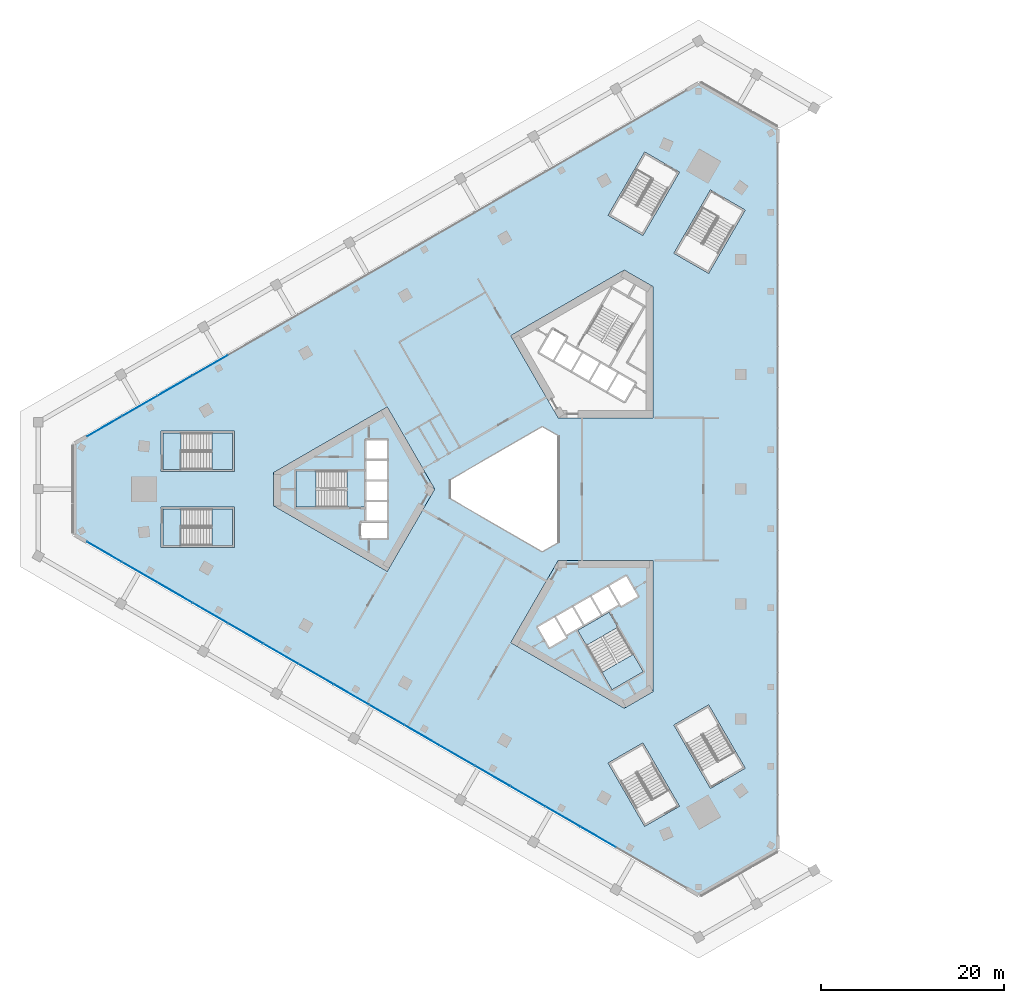
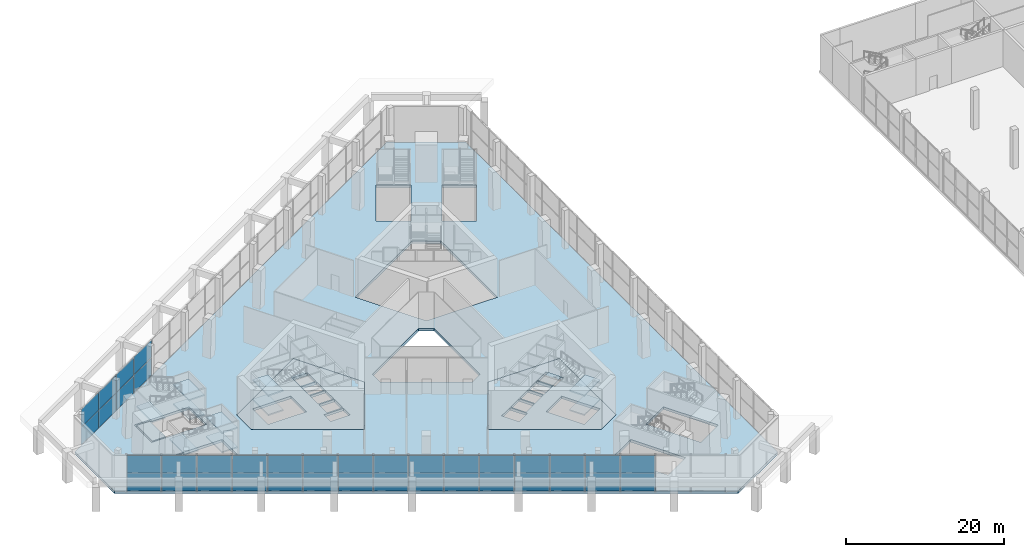
# One storey, part 22 of 51: 38 plates, 17 slabs, 6 elements without a shape of their own.
"""IFC4 building model written with IfcOpenShell, lengths in metres."""

import ifcopenshell
import ifcopenshell.guid

model = None  # the IFC model being written
_history = None  # IfcOwnerHistory: only IFC2X3 demands one
_inside = {}  # id of a spatial element -> (the spatial element, [elements in it])
_under = {}  # id of a project, library or spatial element -> (it, [spatial elements below it])
_declared = {}  # id of a project -> (the project, [libraries it declares])
_typed = {}  # id of a type object -> (the type object, [elements of that type])
_made_of = {}  # id of a material, layer set ... -> (it, [elements and type objects made of it])


def new_model(schema):
    """Start an empty IFC model of exactly this schema.

    Asked for "IFC4X3", IfcOpenShell would pick the latest addendum, in which some entities
    have other attributes; the version numbers below select the first issue.
    IFC2X3 requires an IfcOwnerHistory on every rooted entity: one is made here for all.
    """
    global model, _history
    if schema == "IFC4X3":
        model = ifcopenshell.file(schema_version=(4, 3, 0, 0))
    else:
        model = ifcopenshell.file(schema=schema)
    _inside.clear()
    _under.clear()
    _declared.clear()
    _typed.clear()
    _made_of.clear()
    _history = None
    if model.schema == "IFC2X3":
        org = make("IfcOrganization", Name="unknown")
        user = make(
            "IfcPersonAndOrganization",
            ThePerson=make("IfcPerson", FamilyName="unknown"),
            TheOrganization=org,
        )
        app = make(
            "IfcApplication",
            ApplicationDeveloper=org,
            Version="unknown",
            ApplicationFullName="unknown",
            ApplicationIdentifier="unknown",
        )
        _history = make(
            "IfcOwnerHistory",
            OwningUser=user,
            OwningApplication=app,
            ChangeAction="ADDED",
            CreationDate=0,
        )
    return model


def make(cls, **values):
    """One entity of the class cls with the attributes given. An attribute that is None is left unset."""
    return model.create_entity(
        cls, **{name: value for name, value in values.items() if value is not None}
    )


def rooted(cls, **values):
    """An entity with a GlobalId (a new one), such as an element, a storey or a relation."""
    return make(cls, GlobalId=ifcopenshell.guid.new(), OwnerHistory=_history, **values)


def si_unit(unit_type, name, prefix=None):
    """IfcSIUnit, for example si_unit("LENGTHUNIT", "METRE", prefix="MILLI")."""
    return make("IfcSIUnit", UnitType=unit_type, Prefix=prefix, Name=name)


def assignment(units):
    """IfcUnitAssignment: the units of a project."""
    return None if units is None else make("IfcUnitAssignment", Units=units)


def point(xyz):
    """IfcCartesianPoint."""
    return None if xyz is None else make("IfcCartesianPoint", Coordinates=xyz)


def direction(xyz):
    """IfcDirection."""
    return None if xyz is None else make("IfcDirection", DirectionRatios=xyz)


def frame(location, z_axis=None, x_axis=None):
    """IfcAxis2Placement3D, a coordinate frame: its origin and axes. An axis left out is left unset."""
    return make(
        "IfcAxis2Placement3D",
        Location=point(location),
        Axis=direction(z_axis),
        RefDirection=direction(x_axis),
    )


def frame_2d(location, x_axis=None):
    """IfcAxis2Placement2D, a coordinate frame in the plane: its origin and x axis."""
    return make(
        "IfcAxis2Placement2D", Location=point(location), RefDirection=direction(x_axis)
    )


def origin():
    """The frame at (0, 0, 0) with its axes left unset."""
    return frame((0.0, 0.0, 0.0))


def origin_2d():
    """The frame at (0, 0) in the plane with its x axis left unset."""
    return frame_2d((0.0, 0.0))


def place(relative_to, where):
    """IfcLocalPlacement: puts the frame where relative to a parent placement (None: the world)."""
    return make(
        "IfcLocalPlacement", PlacementRelTo=relative_to, RelativePlacement=where
    )


def context(
    kind, dimensions, precision=None, world=None, true_north=None, identifier=None
):
    """IfcGeometricRepresentationContext, for example the 3D "Model" context."""
    return make(
        "IfcGeometricRepresentationContext",
        ContextIdentifier=identifier,
        ContextType=kind,
        CoordinateSpaceDimension=dimensions,
        Precision=precision,
        WorldCoordinateSystem=world,
        TrueNorth=true_north,
    )


def subcontext(parent, identifier, kind, view, scale=None):
    """IfcGeometricRepresentationSubContext, for example "Body" below "Model"."""
    return make(
        "IfcGeometricRepresentationSubContext",
        ContextIdentifier=identifier,
        ContextType=kind,
        ParentContext=parent,
        TargetScale=scale,
        TargetView=view,
    )


def project(units=None, contexts=None):
    """IfcProject with its units and contexts."""
    return rooted(
        "IfcProject",
        Name="project",
        RepresentationContexts=contexts,
        UnitsInContext=assignment(units),
    )


def spatial(cls, under=None, at=None, **own):
    """A site, building, storey or space (cls), placed at a placement, below another one or the project."""
    s = rooted(cls, ObjectPlacement=at, **own)
    if under is not None:
        _under.setdefault(under.id(), (under, []))[1].append(s)
    return s


def polyline(points):
    """IfcPolyline through the points."""
    return make("IfcPolyline", Points=[point(p) for p in points])


def profile(cls, at=None, kind="AREA", **sizes):
    """A parametric profile (cls). Its sizes go by their IFC names, for example OverallWidth=200.0."""
    return make(cls, ProfileType=kind, Position=at, **sizes)


def rectangle(**sizes):
    """IfcRectangleProfileDef."""
    return profile("IfcRectangleProfileDef", **sizes)


def outline(outer, holes=None, kind="AREA"):
    """IfcArbitraryClosedProfileDef: a profile drawn as a closed curve; with holes, ...WithVoids."""
    if holes is None:
        return make("IfcArbitraryClosedProfileDef", ProfileType=kind, OuterCurve=outer)
    return make(
        "IfcArbitraryProfileDefWithVoids",
        ProfileType=kind,
        OuterCurve=outer,
        InnerCurves=holes,
    )


def extrude(swept, where, along, depth):
    """IfcExtrudedAreaSolid: the profile swept, set in the frame where, extruded along a direction by depth."""
    return make(
        "IfcExtrudedAreaSolid",
        SweptArea=swept,
        Position=where,
        ExtrudedDirection=direction(along),
        Depth=depth,
    )


def shape(context_of_items, identifier, shape_type, items):
    """IfcShapeRepresentation: the items that make up one representation, for example the "Body"."""
    return make(
        "IfcShapeRepresentation",
        ContextOfItems=context_of_items,
        RepresentationIdentifier=identifier,
        RepresentationType=shape_type,
        Items=items,
    )


def material(Name=None, Category=None):
    """IfcMaterial."""
    return make("IfcMaterial", Name=Name, Category=Category)


def layer(
    of_material, thickness, ventilated=None, Name=None, Category=None, Priority=None
):
    """IfcMaterialLayer: one layer of a wall or slab, of a material (None: an air gap)."""
    return make(
        "IfcMaterialLayer",
        Material=of_material,
        LayerThickness=thickness,
        IsVentilated=ventilated,
        Name=Name,
        Category=Category,
        Priority=Priority,
    )


def layer_set(layers, Name=None):
    """IfcMaterialLayerSet."""
    return make("IfcMaterialLayerSet", MaterialLayers=layers, LayerSetName=Name)


def made_of(thing, what):
    """Note that an element or type object is made of a material, layer set ...; save() writes the relation."""
    if what is not None:
        _made_of.setdefault(what.id(), (what, []))[1].append(thing)
    return thing


def type_object(cls, material=None, **own):
    """A type object (cls), such as IfcWallType, which elements share."""
    return made_of(rooted(cls, **own), material)


def element(
    cls,
    number,
    at=None,
    inside=None,
    cuts=None,
    type_object=None,
    material=None,
    context=None,
    identifier="Body",
    shape_type=None,
    held_by="IfcProductDefinitionShape",
    body=None,
    shapes=None,
    **own,
):
    """One element of the class cls, such as IfcWall. Its Tag is "e" and its number.

    at: its placement. inside: the storey or other place that contains it. cuts: it is an
    opening in that element (IfcRelVoidsElement). A single representation is given by context,
    identifier, shape_type and body (its items); several are given by shapes. held_by: the class
    of the entity that holds the representations. save() writes the other relations.
    """
    e = rooted(cls, Tag="e%d" % number, ObjectPlacement=at, **own)
    if body is not None:
        shapes = [shape(context, identifier, shape_type, body)]
    if shapes is not None:
        e.Representation = make(held_by, Representations=shapes)
    if inside is not None:
        _inside.setdefault(inside.id(), (inside, []))[1].append(e)
    if cuts is not None:
        rooted(
            "IfcRelVoidsElement", RelatingBuildingElement=cuts, RelatedOpeningElement=e
        )
    if type_object is not None:
        _typed.setdefault(type_object.id(), (type_object, []))[1].append(e)
    return made_of(e, material)


def aggregate(whole, parts):
    """IfcRelAggregates: a whole, such as a stair, and the parts it consists of."""
    return rooted("IfcRelAggregates", RelatingObject=whole, RelatedObjects=parts)


def save(model, path):
    """Write the relations noted so far, then the file.

    IfcRelAggregates (storeys below a building ...), IfcRelContainedInSpatialStructure (elements
    in a storey), IfcRelDefinesByType, IfcRelAssociatesMaterial and IfcRelDeclares: one each for
    every whole, place, type object, material and project.
    """
    for whole, parts in _under.values():
        aggregate(whole, parts)
    for where, things in _inside.values():
        rooted(
            "IfcRelContainedInSpatialStructure",
            RelatedElements=things,
            RelatingStructure=where,
        )
    for kind, things in _typed.values():
        rooted("IfcRelDefinesByType", RelatedObjects=things, RelatingType=kind)
    for what, things in _made_of.values():
        rooted("IfcRelAssociatesMaterial", RelatedObjects=things, RelatingMaterial=what)
    for by, libraries in _declared.values():
        rooted("IfcRelDeclares", RelatingContext=by, RelatedDefinitions=libraries)
    model.write(path)


model = new_model("IFC4")

# Units and contexts
model_context = context("Model", 3, precision=1e-05, world=origin(), true_north=direction((0.0, 1.0)))
body_context = subcontext(model_context, "Body", "Model", "MODEL_VIEW")
ifc_project = project(units=[si_unit("LENGTHUNIT", "METRE"), si_unit("AREAUNIT", "SQUARE_METRE"), si_unit("VOLUMEUNIT", "CUBIC_METRE"), si_unit("PLANEANGLEUNIT", "RADIAN"), si_unit("MASSUNIT", "GRAM", prefix="KILO")], contexts=[model_context])

# Site, building, storey
site_placement = place(None, origin())
site = spatial("IfcSite", under=ifc_project, at=site_placement, CompositionType="ELEMENT")
building_placement = place(site_placement, origin())
building = spatial("IfcBuilding", under=site, at=building_placement, Name="Jabali Bay Hotel Tower and Convention Centre", CompositionType="ELEMENT")
storey_placement = place(building_placement, frame((0.0, 0.0, 9.0)))
storey = spatial("IfcBuildingStorey", under=building, at=storey_placement, Name="L01", CompositionType="ELEMENT", Elevation=9.0)

# Curtain wall, plates
ifc_material_1 = material(Name="Aluminium and glass", Category="aluminium")
ifc_layer_1 = layer(ifc_material_1, 0.179931640625)
ifc_layer_set_1 = layer_set([ifc_layer_1], Name="Aluminium and glass")
curtain_wall_type = type_object("IfcCurtainWallType", Name="CW1 curtain wall", PredefinedType="NOTDEFINED", material=ifc_layer_set_1)
curtain_wall_1_placement = place(storey_placement, origin())
curtain_wall_1 = element("IfcCurtainWall", 1, at=curtain_wall_1_placement, inside=storey, type_object=curtain_wall_type, Name="CW1 curtain wall north-west face L01", PredefinedType="NOTDEFINED")
ifc_material_2 = material(Name="Glass", Category="glass")
ifc_layer_2 = layer(ifc_material_2, 0.028076171875)
ifc_layer_set_2 = layer_set([ifc_layer_2], Name="Glass")
plate_type = type_object("IfcPlateType", Name="CW1 glass panel 28", PredefinedType="CURTAIN_PANEL", material=ifc_layer_set_2)
plate_1_placement = place(storey_placement, frame((29.901123046875, 86.87109375, 0.06005859375), z_axis=(0.0, 0.0, 1.0), x_axis=(0.866025404107, 0.499999999441, 0.0)))
plate_1 = element("IfcPlate", 2, at=plate_1_placement, type_object=plate_type, Name="CW1 panel 1.1", PredefinedType="CURTAIN_PANEL", context=body_context, shape_type="SweptSolid", body=[
    extrude(rectangle(XDim=4.364501953125, YDim=0.028076171875, at=origin_2d()), origin(), (0.0, 0.0, 1.0), 2.7099609375),
])
plate_2_placement = place(storey_placement, frame((29.901123046875, 86.87109375, 2.830078125), z_axis=(0.0, 0.0, 1.0), x_axis=(0.866025404107, 0.499999999441, 0.0)))
plate_2 = element("IfcPlate", 3, at=plate_2_placement, type_object=plate_type, Name="CW1 panel 1.2", PredefinedType="CURTAIN_PANEL", context=body_context, shape_type="SweptSolid", body=[
    extrude(rectangle(XDim=4.364501953125, YDim=0.028076171875, at=origin_2d()), origin(), (0.0, 0.0, 1.0), 2.7099609375),
])
plate_3_placement = place(storey_placement, frame((33.745849609375, 89.0908203125, 0.06005859375), z_axis=(0.0, 0.0, 1.0), x_axis=(0.866025404107, 0.499999999441, 0.0)))
plate_3 = element("IfcPlate", 4, at=plate_3_placement, type_object=plate_type, Name="CW1 panel 2.1", PredefinedType="CURTAIN_PANEL", context=body_context, shape_type="SweptSolid", body=[
    extrude(rectangle(XDim=4.39453125, YDim=0.028076171875, at=origin_2d()), origin(), (0.0, 0.0, 1.0), 2.7099609375),
])
plate_4_placement = place(storey_placement, frame((33.745849609375, 89.0908203125, 2.830078125), z_axis=(0.0, 0.0, 1.0), x_axis=(0.866025404107, 0.499999999441, 0.0)))
plate_4 = element("IfcPlate", 5, at=plate_4_placement, type_object=plate_type, Name="CW1 panel 2.2", PredefinedType="CURTAIN_PANEL", context=body_context, shape_type="SweptSolid", body=[
    extrude(rectangle(XDim=4.39453125, YDim=0.028076171875, at=origin_2d()), origin(), (0.0, 0.0, 1.0), 2.7099609375),
])
plate_5_placement = place(storey_placement, frame((37.603515625, 91.318115234375, 0.06005859375), z_axis=(0.0, 0.0, 1.0), x_axis=(0.866025404107, 0.499999999441, 0.0)))
plate_5 = element("IfcPlate", 6, at=plate_5_placement, type_object=plate_type, Name="CW1 panel 3.1", PredefinedType="CURTAIN_PANEL", context=body_context, shape_type="SweptSolid", body=[
    extrude(rectangle(XDim=4.39453125, YDim=0.028076171875, at=origin_2d()), origin(), (0.0, 0.0, 1.0), 2.7099609375),
])
plate_6_placement = place(storey_placement, frame((37.603515625, 91.318115234375, 2.830078125), z_axis=(0.0, 0.0, 1.0), x_axis=(0.866025404107, 0.499999999441, 0.0)))
plate_6 = element("IfcPlate", 7, at=plate_6_placement, type_object=plate_type, Name="CW1 panel 3.2", PredefinedType="CURTAIN_PANEL", context=body_context, shape_type="SweptSolid", body=[
    extrude(rectangle(XDim=4.39453125, YDim=0.028076171875, at=origin_2d()), origin(), (0.0, 0.0, 1.0), 2.7099609375),
])
plate_7_placement = place(storey_placement, frame((41.46142578125, 93.54541015625, 0.06005859375), z_axis=(0.0, 0.0, 1.0), x_axis=(0.866025404107, 0.499999999441, 0.0)))
plate_7 = element("IfcPlate", 8, at=plate_7_placement, type_object=plate_type, Name="CW1 panel 4.1", PredefinedType="CURTAIN_PANEL", context=body_context, shape_type="SweptSolid", body=[
    extrude(rectangle(XDim=4.39453125, YDim=0.028076171875, at=origin_2d()), origin(), (0.0, 0.0, 1.0), 2.7099609375),
])
plate_8_placement = place(storey_placement, frame((41.46142578125, 93.54541015625, 2.830078125), z_axis=(0.0, 0.0, 1.0), x_axis=(0.866025404107, 0.499999999441, 0.0)))
plate_8 = element("IfcPlate", 9, at=plate_8_placement, type_object=plate_type, Name="CW1 panel 4.2", PredefinedType="CURTAIN_PANEL", context=body_context, shape_type="SweptSolid", body=[
    extrude(rectangle(XDim=4.39453125, YDim=0.028076171875, at=origin_2d()), origin(), (0.0, 0.0, 1.0), 2.7099609375),
])
aggregate(curtain_wall_1, [plate_1, plate_2, plate_3, plate_4, plate_5, plate_6, plate_7, plate_8])

curtain_wall_2_placement = place(storey_placement, origin())
curtain_wall_2 = element("IfcCurtainWall", 10, at=curtain_wall_2_placement, inside=storey, type_object=curtain_wall_type, Name="CW1 curtain wall south-west face L01", PredefinedType="NOTDEFINED")
plate_9_placement = place(storey_placement, frame((83.896484375, 41.95458984375, 0.06005859375), z_axis=(0.0, 0.0, 1.0), x_axis=(-0.866025404107, 0.499999999441, 0.0)))
plate_9 = element("IfcPlate", 11, at=plate_9_placement, type_object=plate_type, Name="CW1 panel 3.1", PredefinedType="CURTAIN_PANEL", context=body_context, shape_type="SweptSolid", body=[
    extrude(rectangle(XDim=4.39453125, YDim=0.028076171875, at=origin_2d()), origin(), (0.0, 0.0, 1.0), 2.7099609375),
])
plate_10_placement = place(storey_placement, frame((83.896484375, 41.95458984375, 2.830078125), z_axis=(0.0, 0.0, 1.0), x_axis=(-0.866025404107, 0.499999999441, 0.0)))
plate_10 = element("IfcPlate", 12, at=plate_10_placement, type_object=plate_type, Name="CW1 panel 3.2", PredefinedType="CURTAIN_PANEL", context=body_context, shape_type="SweptSolid", body=[
    extrude(rectangle(XDim=4.39453125, YDim=0.028076171875, at=origin_2d()), origin(), (0.0, 0.0, 1.0), 2.7099609375),
])
plate_11_placement = place(storey_placement, frame((80.03857421875, 44.181884765625, 0.06005859375), z_axis=(0.0, 0.0, 1.0), x_axis=(-0.866025404107, 0.499999999441, 0.0)))
plate_11 = element("IfcPlate", 13, at=plate_11_placement, type_object=plate_type, Name="CW1 panel 4.1", PredefinedType="CURTAIN_PANEL", context=body_context, shape_type="SweptSolid", body=[
    extrude(rectangle(XDim=4.39453125, YDim=0.028076171875, at=origin_2d()), origin(), (0.0, 0.0, 1.0), 2.7099609375),
])
plate_12_placement = place(storey_placement, frame((80.03857421875, 44.181884765625, 2.830078125), z_axis=(0.0, 0.0, 1.0), x_axis=(-0.866025404107, 0.499999999441, 0.0)))
plate_12 = element("IfcPlate", 14, at=plate_12_placement, type_object=plate_type, Name="CW1 panel 4.2", PredefinedType="CURTAIN_PANEL", context=body_context, shape_type="SweptSolid", body=[
    extrude(rectangle(XDim=4.39453125, YDim=0.028076171875, at=origin_2d()), origin(), (0.0, 0.0, 1.0), 2.7099609375),
])
plate_13_placement = place(storey_placement, frame((76.180908203125, 46.4091796875, 0.06005859375), z_axis=(0.0, 0.0, 1.0), x_axis=(-0.866025404107, 0.499999999441, 0.0)))
plate_13 = element("IfcPlate", 15, at=plate_13_placement, type_object=plate_type, Name="CW1 panel 5.1", PredefinedType="CURTAIN_PANEL", context=body_context, shape_type="SweptSolid", body=[
    extrude(rectangle(XDim=4.39453125, YDim=0.028076171875, at=origin_2d()), origin(), (0.0, 0.0, 1.0), 2.7099609375),
])
plate_14_placement = place(storey_placement, frame((76.180908203125, 46.4091796875, 2.830078125), z_axis=(0.0, 0.0, 1.0), x_axis=(-0.866025404107, 0.499999999441, 0.0)))
plate_14 = element("IfcPlate", 16, at=plate_14_placement, type_object=plate_type, Name="CW1 panel 5.2", PredefinedType="CURTAIN_PANEL", context=body_context, shape_type="SweptSolid", body=[
    extrude(rectangle(XDim=4.39453125, YDim=0.028076171875, at=origin_2d()), origin(), (0.0, 0.0, 1.0), 2.7099609375),
])
plate_15_placement = place(storey_placement, frame((72.3232421875, 48.636474609375, 0.06005859375), z_axis=(0.0, 0.0, 1.0), x_axis=(-0.866025404107, 0.499999999441, 0.0)))
plate_15 = element("IfcPlate", 17, at=plate_15_placement, type_object=plate_type, Name="CW1 panel 6.1", PredefinedType="CURTAIN_PANEL", context=body_context, shape_type="SweptSolid", body=[
    extrude(rectangle(XDim=4.39453125, YDim=0.028076171875, at=origin_2d()), origin(), (0.0, 0.0, 1.0), 2.7099609375),
])
plate_16_placement = place(storey_placement, frame((72.3232421875, 48.636474609375, 2.830078125), z_axis=(0.0, 0.0, 1.0), x_axis=(-0.866025404107, 0.499999999441, 0.0)))
plate_16 = element("IfcPlate", 18, at=plate_16_placement, type_object=plate_type, Name="CW1 panel 6.2", PredefinedType="CURTAIN_PANEL", context=body_context, shape_type="SweptSolid", body=[
    extrude(rectangle(XDim=4.39453125, YDim=0.028076171875, at=origin_2d()), origin(), (0.0, 0.0, 1.0), 2.7099609375),
])
plate_17_placement = place(storey_placement, frame((68.465576171875, 50.86376953125, 0.06005859375), z_axis=(0.0, 0.0, 1.0), x_axis=(-0.866025404107, 0.499999999441, 0.0)))
plate_17 = element("IfcPlate", 19, at=plate_17_placement, type_object=plate_type, Name="CW1 panel 7.1", PredefinedType="CURTAIN_PANEL", context=body_context, shape_type="SweptSolid", body=[
    extrude(rectangle(XDim=4.39453125, YDim=0.028076171875, at=origin_2d()), origin(), (0.0, 0.0, 1.0), 2.7099609375),
])
plate_18_placement = place(storey_placement, frame((68.465576171875, 50.86376953125, 2.830078125), z_axis=(0.0, 0.0, 1.0), x_axis=(-0.866025404107, 0.499999999441, 0.0)))
plate_18 = element("IfcPlate", 20, at=plate_18_placement, type_object=plate_type, Name="CW1 panel 7.2", PredefinedType="CURTAIN_PANEL", context=body_context, shape_type="SweptSolid", body=[
    extrude(rectangle(XDim=4.39453125, YDim=0.028076171875, at=origin_2d()), origin(), (0.0, 0.0, 1.0), 2.7099609375),
])
plate_19_placement = place(storey_placement, frame((64.607666015625, 53.091064453125, 0.06005859375), z_axis=(0.0, 0.0, 1.0), x_axis=(-0.866025404107, 0.499999999441, 0.0)))
plate_19 = element("IfcPlate", 21, at=plate_19_placement, type_object=plate_type, Name="CW1 panel 8.1", PredefinedType="CURTAIN_PANEL", context=body_context, shape_type="SweptSolid", body=[
    extrude(rectangle(XDim=4.39453125, YDim=0.028076171875, at=origin_2d()), origin(), (0.0, 0.0, 1.0), 2.7099609375),
])
plate_20_placement = place(storey_placement, frame((64.607666015625, 53.091064453125, 2.830078125), z_axis=(0.0, 0.0, 1.0), x_axis=(-0.866025404107, 0.499999999441, 0.0)))
plate_20 = element("IfcPlate", 22, at=plate_20_placement, type_object=plate_type, Name="CW1 panel 8.2", PredefinedType="CURTAIN_PANEL", context=body_context, shape_type="SweptSolid", body=[
    extrude(rectangle(XDim=4.39453125, YDim=0.028076171875, at=origin_2d()), origin(), (0.0, 0.0, 1.0), 2.7099609375),
])
plate_21_placement = place(storey_placement, frame((60.75, 55.318359375, 0.06005859375), z_axis=(0.0, 0.0, 1.0), x_axis=(-0.866025404107, 0.499999999441, 0.0)))
plate_21 = element("IfcPlate", 23, at=plate_21_placement, type_object=plate_type, Name="CW1 panel 9.1", PredefinedType="CURTAIN_PANEL", context=body_context, shape_type="SweptSolid", body=[
    extrude(rectangle(XDim=4.39453125, YDim=0.028076171875, at=origin_2d()), origin(), (0.0, 0.0, 1.0), 2.7099609375),
])
plate_22_placement = place(storey_placement, frame((60.75, 55.318359375, 2.830078125), z_axis=(0.0, 0.0, 1.0), x_axis=(-0.866025404107, 0.499999999441, 0.0)))
plate_22 = element("IfcPlate", 24, at=plate_22_placement, type_object=plate_type, Name="CW1 panel 9.2", PredefinedType="CURTAIN_PANEL", context=body_context, shape_type="SweptSolid", body=[
    extrude(rectangle(XDim=4.39453125, YDim=0.028076171875, at=origin_2d()), origin(), (0.0, 0.0, 1.0), 2.7099609375),
])
plate_23_placement = place(storey_placement, frame((56.892333984375, 57.545654296875, 0.06005859375), z_axis=(0.0, 0.0, 1.0), x_axis=(-0.866025404107, 0.499999999441, 0.0)))
plate_23 = element("IfcPlate", 25, at=plate_23_placement, type_object=plate_type, Name="CW1 panel 10.1", PredefinedType="CURTAIN_PANEL", context=body_context, shape_type="SweptSolid", body=[
    extrude(rectangle(XDim=4.39453125, YDim=0.028076171875, at=origin_2d()), origin(), (0.0, 0.0, 1.0), 2.7099609375),
])
plate_24_placement = place(storey_placement, frame((56.892333984375, 57.545654296875, 2.830078125), z_axis=(0.0, 0.0, 1.0), x_axis=(-0.866025404107, 0.499999999441, 0.0)))
plate_24 = element("IfcPlate", 26, at=plate_24_placement, type_object=plate_type, Name="CW1 panel 10.2", PredefinedType="CURTAIN_PANEL", context=body_context, shape_type="SweptSolid", body=[
    extrude(rectangle(XDim=4.39453125, YDim=0.028076171875, at=origin_2d()), origin(), (0.0, 0.0, 1.0), 2.7099609375),
])
plate_25_placement = place(storey_placement, frame((53.034423828125, 59.772705078125, 0.06005859375), z_axis=(0.0, 0.0, 1.0), x_axis=(-0.866025404107, 0.499999999441, 0.0)))
plate_25 = element("IfcPlate", 27, at=plate_25_placement, type_object=plate_type, Name="CW1 panel 11.1", PredefinedType="CURTAIN_PANEL", context=body_context, shape_type="SweptSolid", body=[
    extrude(rectangle(XDim=4.39453125, YDim=0.028076171875, at=origin_2d()), origin(), (0.0, 0.0, 1.0), 2.7099609375),
])
plate_26_placement = place(storey_placement, frame((53.034423828125, 59.772705078125, 2.830078125), z_axis=(0.0, 0.0, 1.0), x_axis=(-0.866025404107, 0.499999999441, 0.0)))
plate_26 = element("IfcPlate", 28, at=plate_26_placement, type_object=plate_type, Name="CW1 panel 11.2", PredefinedType="CURTAIN_PANEL", context=body_context, shape_type="SweptSolid", body=[
    extrude(rectangle(XDim=4.39453125, YDim=0.028076171875, at=origin_2d()), origin(), (0.0, 0.0, 1.0), 2.7099609375),
])
plate_27_placement = place(storey_placement, frame((49.1767578125, 62.0, 0.06005859375), z_axis=(0.0, 0.0, 1.0), x_axis=(-0.866025404107, 0.499999999441, 0.0)))
plate_27 = element("IfcPlate", 29, at=plate_27_placement, type_object=plate_type, Name="CW1 panel 12.1", PredefinedType="CURTAIN_PANEL", context=body_context, shape_type="SweptSolid", body=[
    extrude(rectangle(XDim=4.39453125, YDim=0.028076171875, at=origin_2d()), origin(), (0.0, 0.0, 1.0), 2.7099609375),
])
plate_28_placement = place(storey_placement, frame((49.1767578125, 62.0, 2.830078125), z_axis=(0.0, 0.0, 1.0), x_axis=(-0.866025404107, 0.499999999441, 0.0)))
plate_28 = element("IfcPlate", 30, at=plate_28_placement, type_object=plate_type, Name="CW1 panel 12.2", PredefinedType="CURTAIN_PANEL", context=body_context, shape_type="SweptSolid", body=[
    extrude(rectangle(XDim=4.39453125, YDim=0.028076171875, at=origin_2d()), origin(), (0.0, 0.0, 1.0), 2.7099609375),
])
plate_29_placement = place(storey_placement, frame((45.319091796875, 64.227294921875, 0.06005859375), z_axis=(0.0, 0.0, 1.0), x_axis=(-0.866025404107, 0.499999999441, 0.0)))
plate_29 = element("IfcPlate", 31, at=plate_29_placement, type_object=plate_type, Name="CW1 panel 13.1", PredefinedType="CURTAIN_PANEL", context=body_context, shape_type="SweptSolid", body=[
    extrude(rectangle(XDim=4.39453125, YDim=0.028076171875, at=origin_2d()), origin(), (0.0, 0.0, 1.0), 2.7099609375),
])
plate_30_placement = place(storey_placement, frame((45.319091796875, 64.227294921875, 2.830078125), z_axis=(0.0, 0.0, 1.0), x_axis=(-0.866025404107, 0.499999999441, 0.0)))
plate_30 = element("IfcPlate", 32, at=plate_30_placement, type_object=plate_type, Name="CW1 panel 13.2", PredefinedType="CURTAIN_PANEL", context=body_context, shape_type="SweptSolid", body=[
    extrude(rectangle(XDim=4.39453125, YDim=0.028076171875, at=origin_2d()), origin(), (0.0, 0.0, 1.0), 2.7099609375),
])
plate_31_placement = place(storey_placement, frame((41.46142578125, 66.45458984375, 0.06005859375), z_axis=(0.0, 0.0, 1.0), x_axis=(-0.866025404107, 0.499999999441, 0.0)))
plate_31 = element("IfcPlate", 33, at=plate_31_placement, type_object=plate_type, Name="CW1 panel 14.1", PredefinedType="CURTAIN_PANEL", context=body_context, shape_type="SweptSolid", body=[
    extrude(rectangle(XDim=4.39453125, YDim=0.028076171875, at=origin_2d()), origin(), (0.0, 0.0, 1.0), 2.7099609375),
])
plate_32_placement = place(storey_placement, frame((41.46142578125, 66.45458984375, 2.830078125), z_axis=(0.0, 0.0, 1.0), x_axis=(-0.866025404107, 0.499999999441, 0.0)))
plate_32 = element("IfcPlate", 34, at=plate_32_placement, type_object=plate_type, Name="CW1 panel 14.2", PredefinedType="CURTAIN_PANEL", context=body_context, shape_type="SweptSolid", body=[
    extrude(rectangle(XDim=4.39453125, YDim=0.028076171875, at=origin_2d()), origin(), (0.0, 0.0, 1.0), 2.7099609375),
])
plate_33_placement = place(storey_placement, frame((37.603515625, 68.681884765625, 0.06005859375), z_axis=(0.0, 0.0, 1.0), x_axis=(-0.866025404107, 0.499999999441, 0.0)))
plate_33 = element("IfcPlate", 35, at=plate_33_placement, type_object=plate_type, Name="CW1 panel 15.1", PredefinedType="CURTAIN_PANEL", context=body_context, shape_type="SweptSolid", body=[
    extrude(rectangle(XDim=4.39453125, YDim=0.028076171875, at=origin_2d()), origin(), (0.0, 0.0, 1.0), 2.7099609375),
])
plate_34_placement = place(storey_placement, frame((37.603515625, 68.681884765625, 2.830078125), z_axis=(0.0, 0.0, 1.0), x_axis=(-0.866025404107, 0.499999999441, 0.0)))
plate_34 = element("IfcPlate", 36, at=plate_34_placement, type_object=plate_type, Name="CW1 panel 15.2", PredefinedType="CURTAIN_PANEL", context=body_context, shape_type="SweptSolid", body=[
    extrude(rectangle(XDim=4.39453125, YDim=0.028076171875, at=origin_2d()), origin(), (0.0, 0.0, 1.0), 2.7099609375),
])
plate_35_placement = place(storey_placement, frame((33.745849609375, 70.9091796875, 0.06005859375), z_axis=(0.0, 0.0, 1.0), x_axis=(-0.866025404107, 0.499999999441, 0.0)))
plate_35 = element("IfcPlate", 37, at=plate_35_placement, type_object=plate_type, Name="CW1 panel 16.1", PredefinedType="CURTAIN_PANEL", context=body_context, shape_type="SweptSolid", body=[
    extrude(rectangle(XDim=4.39453125, YDim=0.028076171875, at=origin_2d()), origin(), (0.0, 0.0, 1.0), 2.7099609375),
])
plate_36_placement = place(storey_placement, frame((33.745849609375, 70.9091796875, 2.830078125), z_axis=(0.0, 0.0, 1.0), x_axis=(-0.866025404107, 0.499999999441, 0.0)))
plate_36 = element("IfcPlate", 38, at=plate_36_placement, type_object=plate_type, Name="CW1 panel 16.2", PredefinedType="CURTAIN_PANEL", context=body_context, shape_type="SweptSolid", body=[
    extrude(rectangle(XDim=4.39453125, YDim=0.028076171875, at=origin_2d()), origin(), (0.0, 0.0, 1.0), 2.7099609375),
])
plate_37_placement = place(storey_placement, frame((29.901123046875, 73.12890625, 0.06005859375), z_axis=(0.0, 0.0, 1.0), x_axis=(-0.866025404107, 0.499999999441, 0.0)))
plate_37 = element("IfcPlate", 39, at=plate_37_placement, type_object=plate_type, Name="CW1 panel 17.1", PredefinedType="CURTAIN_PANEL", context=body_context, shape_type="SweptSolid", body=[
    extrude(rectangle(XDim=4.364501953125, YDim=0.028076171875, at=origin_2d()), origin(), (0.0, 0.0, 1.0), 2.7099609375),
])
plate_38_placement = place(storey_placement, frame((29.901123046875, 73.12890625, 2.830078125), z_axis=(0.0, 0.0, 1.0), x_axis=(-0.866025404107, 0.499999999441, 0.0)))
plate_38 = element("IfcPlate", 40, at=plate_38_placement, type_object=plate_type, Name="CW1 panel 17.2", PredefinedType="CURTAIN_PANEL", context=body_context, shape_type="SweptSolid", body=[
    extrude(rectangle(XDim=4.364501953125, YDim=0.028076171875, at=origin_2d()), origin(), (0.0, 0.0, 1.0), 2.7099609375),
])
aggregate(curtain_wall_2, [plate_9, plate_10, plate_11, plate_12, plate_13, plate_14, plate_15, plate_16, plate_17, plate_18, plate_19, plate_20, plate_21, plate_22, plate_23, plate_24, plate_25, plate_26, plate_27, plate_28, plate_29, plate_30, plate_31, plate_32, plate_33, plate_34, plate_35, plate_36, plate_37, plate_38])

# Slabs
ifc_material_3 = material(Name="Concrete C40", Category="concrete")
ifc_layer_3 = layer(ifc_material_3, 0.39990234375)
ifc_layer_set_3 = layer_set([ifc_layer_3], Name="Concrete C40")
slab_type_1 = type_object("IfcSlabType", Name="Core floor slab 400", PredefinedType="FLOOR", material=ifc_layer_set_3)
slab_1_placement = place(storey_placement, frame((0.0, 0.0, -0.39990234375)))
element("IfcSlab", 41, at=slab_1_placement, inside=storey, type_object=slab_type_1, Name="Core floor slab 1 L01", PredefinedType="FLOOR", context=body_context, shape_type="SweptSolid", body=[
    extrude(outline(polyline([(66.0, 80.0), (60.81005859375, 88.9892578125), (48.39697265625, 81.82275390625), (48.39697265625, 78.17724609375), (60.81005859375, 71.0107421875), (66.0, 80.0)]), holes=[polyline([(60.800048828125, 74.64990234375), (60.800048828125, 76.35009765625), (57.949951171875, 76.35009765625), (57.949951171875, 74.64990234375), (60.800048828125, 74.64990234375)]), polyline([(58.52001953125, 76.550048828125), (60.800048828125, 76.550048828125), (60.800048828125, 78.60009765625), (58.52001953125, 78.60009765625), (58.52001953125, 76.550048828125)]), polyline([(58.52001953125, 78.800048828125), (60.800048828125, 78.800048828125), (60.800048828125, 80.85009765625), (58.52001953125, 80.85009765625), (58.52001953125, 78.800048828125)]), polyline([(56.409912109375, 81.97509765625), (50.820068359375, 81.97509765625), (50.820068359375, 78.02490234375), (56.409912109375, 78.02490234375), (56.409912109375, 81.97509765625)]), polyline([(58.52001953125, 81.050048828125), (60.800048828125, 81.050048828125), (60.800048828125, 83.10009765625), (58.52001953125, 83.10009765625), (58.52001953125, 81.050048828125)]), polyline([(58.52001953125, 83.300048828125), (60.800048828125, 83.300048828125), (60.800048828125, 85.35009765625), (58.52001953125, 85.35009765625), (58.52001953125, 83.300048828125)])]), origin(), (0.0, 0.0, 1.0), 0.39990234375),
])
slab_2_placement = place(storey_placement, frame((0.0, 0.0, -0.39990234375)))
element("IfcSlab", 42, at=slab_2_placement, inside=storey, type_object=slab_type_1, Name="Core floor slab 3 L01", PredefinedType="FLOOR", context=body_context, shape_type="SweptSolid", body=[
    extrude(outline(polyline([(79.5, 72.205810546875), (74.31005859375, 63.21630859375), (86.72314453125, 56.0498046875), (89.8798828125, 57.872314453125), (89.8798828125, 72.205810546875), (79.5, 72.205810546875)]), holes=[polyline([(82.584716796875, 62.9130859375), (85.379638671875, 58.072021484375), (88.80029296875, 60.047119140625), (86.00537109375, 64.88818359375), (82.584716796875, 62.9130859375)]), polyline([(80.365478515625, 63.756591796875), (79.090576171875, 65.96484375), (77.27197265625, 64.9150390625), (78.546875, 62.70654296875), (80.365478515625, 63.756591796875)]), polyline([(82.17919921875, 65.115478515625), (81.0390625, 67.08984375), (79.263671875, 66.06494140625), (80.40380859375, 64.09033203125), (82.17919921875, 65.115478515625)]), polyline([(82.98779296875, 68.21484375), (81.21240234375, 67.18994140625), (82.352294921875, 65.21533203125), (84.127685546875, 66.240478515625), (82.98779296875, 68.21484375)]), polyline([(86.076171875, 67.365478515625), (84.936279296875, 69.33984375), (83.160888671875, 68.31494140625), (84.30078125, 66.34033203125), (86.076171875, 67.365478515625)]), polyline([(88.203125, 68.281494140625), (86.927978515625, 70.489990234375), (85.109375, 69.43994140625), (86.384521484375, 67.231689453125), (88.203125, 68.281494140625)])]), origin(), (0.0, 0.0, 1.0), 0.39990234375),
])
slab_3_placement = place(storey_placement, frame((0.0, 0.0, -0.39990234375)))
element("IfcSlab", 43, at=slab_3_placement, inside=storey, type_object=slab_type_1, Name="Podium stair landing slab 1 L01", PredefinedType="FLOOR", context=body_context, shape_type="SweptSolid", body=[
    extrude(outline(polyline([(36.300048828125, 73.85009765625), (38.2529296875, 73.85009765625), (38.2529296875, 77.85009765625), (36.300048828125, 77.85009765625), (36.300048828125, 73.85009765625)])), origin(), (0.0, 0.0, 1.0), 0.39990234375),
])
slab_4_placement = place(storey_placement, frame((0.0, 0.0, -0.39990234375)))
element("IfcSlab", 44, at=slab_4_placement, inside=storey, type_object=slab_type_1, Name="Podium stair landing slab 2 L01", PredefinedType="FLOOR", context=body_context, shape_type="SweptSolid", body=[
    extrude(outline(polyline([(36.300048828125, 82.14990234375), (38.2529296875, 82.14990234375), (38.2529296875, 86.14990234375), (36.300048828125, 86.14990234375), (36.300048828125, 82.14990234375)])), origin(), (0.0, 0.0, 1.0), 0.39990234375),
])
ifc_layer_4 = layer(ifc_material_3, 0.39990234375)
ifc_layer_set_4 = layer_set([ifc_layer_4], Name="Concrete C40")
slab_type_2 = type_object("IfcSlabType", Name="Post-tensioned flat slab 400", PredefinedType="FLOOR", material=ifc_layer_set_4)
slab_5_placement = place(storey_placement, frame((0.0, 0.0, -0.39990234375)))
element("IfcSlab", 45, at=slab_5_placement, inside=storey, type_object=slab_type_2, Name="Floor slab L01", PredefinedType="FLOOR", context=body_context, shape_type="SweptSolid", body=[
    extrude(outline(polyline([(94.83984375, 124.363525390625), (103.5, 119.363525390625), (103.5, 40.636474609375), (94.83984375, 35.636474609375), (26.66015625, 75.0), (26.66015625, 85.0), (94.83984375, 124.363525390625)]), holes=[polyline([(67.73193359375, 79.0), (77.76806640625, 73.205810546875), (79.5, 74.205810546875), (79.5, 85.794189453125), (77.76806640625, 86.794189453125), (67.73193359375, 81.0), (67.73193359375, 79.0)]), polyline([(60.81005859375, 71.0107421875), (66.0, 80.0), (60.81005859375, 88.9892578125), (48.39697265625, 81.82275390625), (48.39697265625, 78.17724609375), (60.81005859375, 71.0107421875)]), polyline([(86.72314453125, 103.9501953125), (74.31005859375, 96.78369140625), (79.5, 87.794189453125), (89.8798828125, 87.794189453125), (89.8798828125, 102.127685546875), (86.72314453125, 103.9501953125)]), polyline([(86.72314453125, 56.0498046875), (89.8798828125, 57.872314453125), (89.8798828125, 72.205810546875), (79.5, 72.205810546875), (74.31005859375, 63.21630859375), (86.72314453125, 56.0498046875)]), polyline([(44.10009765625, 73.64990234375), (44.10009765625, 78.050048828125), (36.10009765625, 78.050048828125), (36.10009765625, 73.64990234375), (44.10009765625, 73.64990234375)]), polyline([(36.10009765625, 81.949951171875), (44.10009765625, 81.949951171875), (44.10009765625, 86.35009765625), (36.10009765625, 86.35009765625), (36.10009765625, 81.949951171875)]), polyline([(92.76123046875, 114.663330078125), (88.95068359375, 116.86328125), (84.95068359375, 109.935302734375), (88.76123046875, 107.735107421875), (92.76123046875, 114.663330078125)]), polyline([(95.94921875, 103.585205078125), (99.94921875, 110.513427734375), (96.138671875, 112.71337890625), (92.138671875, 105.78515625), (95.94921875, 103.585205078125)]), polyline([(95.94921875, 56.414794921875), (92.138671875, 54.21484375), (96.138671875, 47.28662109375), (99.94921875, 49.486572265625), (95.94921875, 56.414794921875)]), polyline([(92.76123046875, 45.336669921875), (88.76123046875, 52.264892578125), (84.95068359375, 50.064697265625), (88.95068359375, 43.13671875), (92.76123046875, 45.336669921875)])]), origin(), (0.0, 0.0, 1.0), 0.39990234375),
])

# Stair, slabs
stair_type_1 = type_object("IfcStairType", Name="Exit stair 1900", PredefinedType="HALF_TURN_STAIR", material=ifc_material_3)
stair_1_placement = place(storey_placement, origin())
stair_1 = element("IfcStair", 46, at=stair_1_placement, inside=storey, type_object=stair_type_1, Name="L01 Exit Stair 1", PredefinedType="HALF_TURN_STAIR")
ifc_layer_5 = layer(ifc_material_3, 0.199951171875)
ifc_layer_set_5 = layer_set([ifc_layer_5], Name="Concrete C40")
slab_type_3 = type_object("IfcSlabType", Name="Stair landing 200", PredefinedType="LANDING", material=ifc_layer_set_5)
slab_6_placement = place(storey_placement, frame((0.0, 0.0, 1.300048828125)))
slab_6 = element("IfcSlab", 47, at=slab_6_placement, type_object=slab_type_3, Name="ST1 landing 1", PredefinedType="LANDING", context=body_context, shape_type="SweptSolid", body=[
    extrude(outline(polyline([(53.012939453125, 81.97509765625), (50.820068359375, 81.97509765625), (50.820068359375, 78.02490234375), (53.012939453125, 78.02490234375), (53.012939453125, 81.97509765625)])), origin(), (0.0, 0.0, 1.0), 0.199951171875),
])
slab_7_placement = place(storey_placement, frame((0.0, 0.0, 2.800048828125)))
slab_7 = element("IfcSlab", 48, at=slab_7_placement, type_object=slab_type_3, Name="ST1 landing 2", PredefinedType="LANDING", context=body_context, shape_type="SweptSolid", body=[
    extrude(outline(polyline([(58.320068359375, 81.97509765625), (56.4169921875, 81.97509765625), (56.4169921875, 78.02490234375), (58.320068359375, 78.02490234375), (58.320068359375, 81.97509765625)])), origin(), (0.0, 0.0, 1.0), 0.199951171875),
])
slab_8_placement = place(storey_placement, frame((0.0, 0.0, 4.300048828125)))
slab_8 = element("IfcSlab", 49, at=slab_8_placement, type_object=slab_type_3, Name="ST1 landing 3", PredefinedType="LANDING", context=body_context, shape_type="SweptSolid", body=[
    extrude(outline(polyline([(53.012939453125, 81.97509765625), (50.820068359375, 81.97509765625), (50.820068359375, 78.02490234375), (53.012939453125, 78.02490234375), (53.012939453125, 81.97509765625)])), origin(), (0.0, 0.0, 1.0), 0.199951171875),
])
aggregate(stair_1, [slab_6, slab_7, slab_8])

stair_2_placement = place(storey_placement, origin())
stair_2 = element("IfcStair", 50, at=stair_2_placement, inside=storey, type_object=stair_type_1, Name="L01 Exit Stair 3", PredefinedType="HALF_TURN_STAIR")
slab_9_placement = place(storey_placement, frame((0.0, 0.0, 1.300048828125)))
slab_9 = element("IfcSlab", 51, at=slab_9_placement, type_object=slab_type_3, Name="ST3 landing 1", PredefinedType="LANDING", context=body_context, shape_type="SweptSolid", body=[
    extrude(outline(polyline([(84.283203125, 59.97119140625), (85.379638671875, 58.072021484375), (88.80029296875, 60.047119140625), (87.703857421875, 61.9462890625), (84.283203125, 59.97119140625)])), origin(), (0.0, 0.0, 1.0), 0.199951171875),
])
slab_10_placement = place(storey_placement, frame((0.0, 0.0, 2.800048828125)))
slab_10 = element("IfcSlab", 52, at=slab_10_placement, type_object=slab_type_3, Name="ST3 landing 2", PredefinedType="LANDING", context=body_context, shape_type="SweptSolid", body=[
    extrude(outline(polyline([(81.629638671875, 64.567138671875), (82.5810546875, 62.919189453125), (86.001953125, 64.89404296875), (85.05029296875, 66.542236328125), (81.629638671875, 64.567138671875)])), origin(), (0.0, 0.0, 1.0), 0.199951171875),
])
slab_11_placement = place(storey_placement, frame((0.0, 0.0, 4.300048828125)))
slab_11 = element("IfcSlab", 53, at=slab_11_placement, type_object=slab_type_3, Name="ST3 landing 3", PredefinedType="LANDING", context=body_context, shape_type="SweptSolid", body=[
    extrude(outline(polyline([(84.283203125, 59.97119140625), (85.379638671875, 58.072021484375), (88.80029296875, 60.047119140625), (87.703857421875, 61.9462890625), (84.283203125, 59.97119140625)])), origin(), (0.0, 0.0, 1.0), 0.199951171875),
])
aggregate(stair_2, [slab_9, slab_10, slab_11])

stair_type_2 = type_object("IfcStairType", Name="Podium stair 1950", PredefinedType="HALF_TURN_STAIR", material=ifc_material_3)
stair_3_placement = place(storey_placement, origin())
stair_3 = element("IfcStair", 54, at=stair_3_placement, inside=storey, type_object=stair_type_2, Name="L01 Podium Exit Stair 1", PredefinedType="HALF_TURN_STAIR")
slab_12_placement = place(storey_placement, frame((0.0, 0.0, 1.300048828125)))
slab_12 = element("IfcSlab", 55, at=slab_12_placement, type_object=slab_type_3, Name="PS1 landing 1", PredefinedType="LANDING", context=body_context, shape_type="SweptSolid", body=[
    extrude(outline(polyline([(41.656982421875, 73.85009765625), (43.89990234375, 73.85009765625), (43.89990234375, 77.85009765625), (41.656982421875, 77.85009765625), (41.656982421875, 73.85009765625)])), origin(), (0.0, 0.0, 1.0), 0.199951171875),
])
slab_13_placement = place(storey_placement, frame((0.0, 0.0, 2.800048828125)))
slab_13 = element("IfcSlab", 56, at=slab_13_placement, type_object=slab_type_3, Name="PS1 landing 2", PredefinedType="LANDING", context=body_context, shape_type="SweptSolid", body=[
    extrude(outline(polyline([(36.300048828125, 73.85009765625), (38.2529296875, 73.85009765625), (38.2529296875, 77.85009765625), (36.300048828125, 77.85009765625), (36.300048828125, 73.85009765625)])), origin(), (0.0, 0.0, 1.0), 0.199951171875),
])
slab_14_placement = place(storey_placement, frame((0.0, 0.0, 4.300048828125)))
slab_14 = element("IfcSlab", 57, at=slab_14_placement, type_object=slab_type_3, Name="PS1 landing 3", PredefinedType="LANDING", context=body_context, shape_type="SweptSolid", body=[
    extrude(outline(polyline([(41.656982421875, 73.85009765625), (43.89990234375, 73.85009765625), (43.89990234375, 77.85009765625), (41.656982421875, 77.85009765625), (41.656982421875, 73.85009765625)])), origin(), (0.0, 0.0, 1.0), 0.199951171875),
])
aggregate(stair_3, [slab_12, slab_13, slab_14])

stair_4_placement = place(storey_placement, origin())
stair_4 = element("IfcStair", 58, at=stair_4_placement, inside=storey, type_object=stair_type_2, Name="L01 Podium Exit Stair 2", PredefinedType="HALF_TURN_STAIR")
slab_15_placement = place(storey_placement, frame((0.0, 0.0, 1.300048828125)))
slab_15 = element("IfcSlab", 59, at=slab_15_placement, type_object=slab_type_3, Name="PS2 landing 1", PredefinedType="LANDING", context=body_context, shape_type="SweptSolid", body=[
    extrude(outline(polyline([(41.656982421875, 82.14990234375), (43.89990234375, 82.14990234375), (43.89990234375, 86.14990234375), (41.656982421875, 86.14990234375), (41.656982421875, 82.14990234375)])), origin(), (0.0, 0.0, 1.0), 0.199951171875),
])
slab_16_placement = place(storey_placement, frame((0.0, 0.0, 2.800048828125)))
slab_16 = element("IfcSlab", 60, at=slab_16_placement, type_object=slab_type_3, Name="PS2 landing 2", PredefinedType="LANDING", context=body_context, shape_type="SweptSolid", body=[
    extrude(outline(polyline([(36.300048828125, 82.14990234375), (38.2529296875, 82.14990234375), (38.2529296875, 86.14990234375), (36.300048828125, 86.14990234375), (36.300048828125, 82.14990234375)])), origin(), (0.0, 0.0, 1.0), 0.199951171875),
])
slab_17_placement = place(storey_placement, frame((0.0, 0.0, 4.300048828125)))
slab_17 = element("IfcSlab", 61, at=slab_17_placement, type_object=slab_type_3, Name="PS2 landing 3", PredefinedType="LANDING", context=body_context, shape_type="SweptSolid", body=[
    extrude(outline(polyline([(41.656982421875, 82.14990234375), (43.89990234375, 82.14990234375), (43.89990234375, 86.14990234375), (41.656982421875, 86.14990234375), (41.656982421875, 82.14990234375)])), origin(), (0.0, 0.0, 1.0), 0.199951171875),
])
aggregate(stair_4, [slab_15, slab_16, slab_17])

save(model, "model.ifc")
